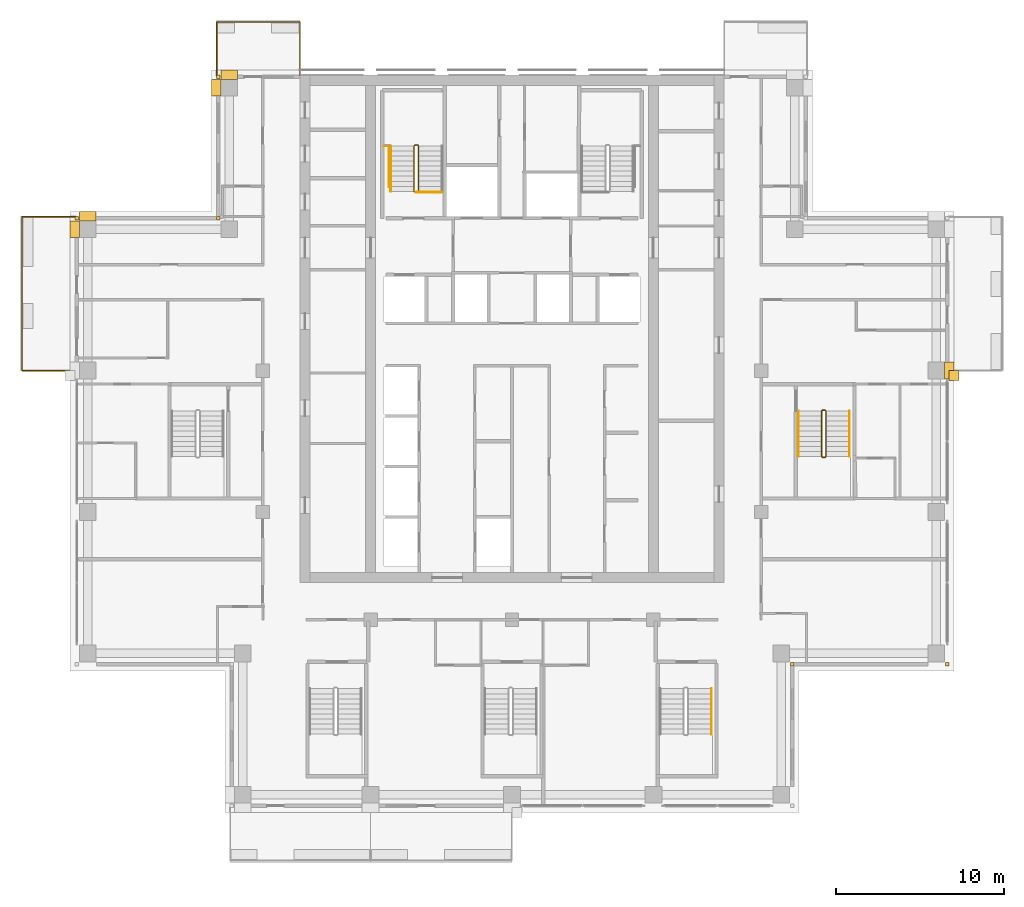
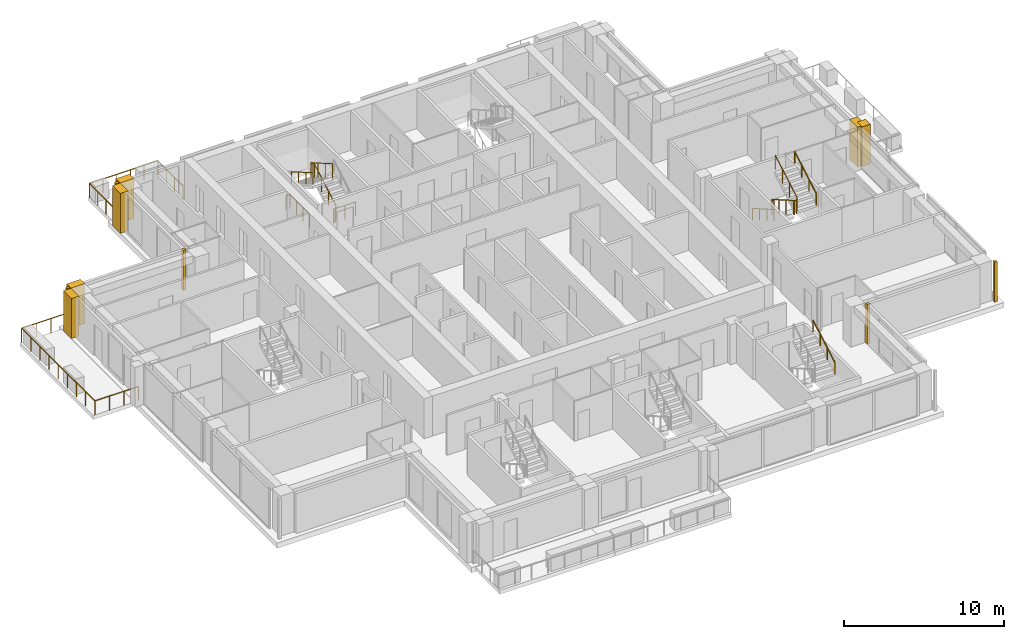
# One storey, part 14 of 15: 11 coverings, 10 railings.
"""IFC4 building model written with IfcOpenShell, lengths in metres."""

from ifc_helpers import new_model, si_unit, direction, frame, origin, origin_2d, place, context, subcontext, project, spatial, polyline, rectangle, outline, extrude, material, type_object, element, save


model = new_model("IFC4")

# Units and contexts
model_context = context("Model", 3, precision=1e-05, world=origin(), true_north=direction((0.0, 1.0)))
body_context = subcontext(model_context, "Body", "Model", "MODEL_VIEW")
ifc_project = project(units=[si_unit("LENGTHUNIT", "METRE"), si_unit("AREAUNIT", "SQUARE_METRE"), si_unit("VOLUMEUNIT", "CUBIC_METRE"), si_unit("PLANEANGLEUNIT", "RADIAN"), si_unit("MASSUNIT", "GRAM", prefix="KILO")], contexts=[model_context])

# Site, building, storey
site_placement = place(None, origin())
site = spatial("IfcSite", under=ifc_project, at=site_placement, CompositionType="ELEMENT")
building_placement = place(site_placement, origin())
building = spatial("IfcBuilding", under=site, at=building_placement, Name="Vermilion Ogive Tower", CompositionType="ELEMENT")
storey_placement = place(building_placement, frame((0.0, 0.0, 210.050048828125)))
storey = spatial("IfcBuildingStorey", under=building, at=storey_placement, Name="L55", CompositionType="ELEMENT", Elevation=210.050048828125)

# Railings
ifc_material_1 = material(Name="Stainless steel and glass", Category="steel")
railing_type_1 = type_object("IfcRailingType", Name="Balcony guard", PredefinedType="GUARDRAIL", material=ifc_material_1)
railing_1_placement = place(storey_placement, frame((-12.60009765625, 21.75, -0.0400390625)))
element("IfcRailing", 1, at=railing_1_placement, inside=storey, type_object=railing_type_1, Name="Guard N201", PredefinedType="GUARDRAIL", context=body_context, shape_type="SweptSolid", body=[
    extrude(rectangle(XDim=0.048095703125, YDim=0.048095703125, at=origin_2d()), frame((0.0, 0.0, 1.076171875), z_axis=(0.0, 1.0, 0.0), x_axis=(-1.0, 0.0, 0.0)), (0.0, 0.0, 1.0), 3.159912109375),
    extrude(rectangle(XDim=0.048095703125, YDim=0.048095703125, at=origin_2d()), frame((0.0, 3.159912109375, 1.076171875), z_axis=(-1.0, 0.0, 0.0), x_axis=(0.0, -1.0, 0.0)), (0.0, 0.0, 1.0), 4.949951171875),
    extrude(rectangle(XDim=0.048095703125, YDim=0.048095703125, at=origin_2d()), frame((-4.949951171875, 3.159912109375, 1.076171875), z_axis=(0.0, -1.0, 0.0), x_axis=(1.0, 0.0, 0.0)), (0.0, 0.0, 1.0), 3.159912109375),
    extrude(rectangle(XDim=0.0419921875, YDim=0.0419921875, at=origin_2d()), origin(), (0.0, 0.0, 1.0), 1.052001953125),
    extrude(rectangle(XDim=0.0419921875, YDim=0.0419921875, at=origin_2d()), frame((0.0, 1.05322265625, 0.0)), (0.0, 0.0, 1.0), 1.052001953125),
    extrude(rectangle(XDim=0.0419921875, YDim=0.0419921875, at=origin_2d()), frame((0.0, 2.106689453125, 0.0)), (0.0, 0.0, 1.0), 1.052001953125),
    extrude(rectangle(XDim=0.0419921875, YDim=0.0419921875, at=origin_2d()), frame((0.0, 3.159912109375, 0.0)), (0.0, 0.0, 1.0), 1.052001953125),
    extrude(rectangle(XDim=0.0419921875, YDim=0.0419921875, at=origin_2d()), frame((-0.989990234375, 3.159912109375, 0.0)), (0.0, 0.0, 1.0), 1.052001953125),
    extrude(rectangle(XDim=0.0419921875, YDim=0.0419921875, at=origin_2d()), frame((-1.97998046875, 3.159912109375, 0.0)), (0.0, 0.0, 1.0), 1.052001953125),
    extrude(rectangle(XDim=0.0419921875, YDim=0.0419921875, at=origin_2d()), frame((-2.969970703125, 3.159912109375, 0.0)), (0.0, 0.0, 1.0), 1.052001953125),
    extrude(rectangle(XDim=0.0419921875, YDim=0.0419921875, at=origin_2d()), frame((-3.9599609375, 3.159912109375, 0.0)), (0.0, 0.0, 1.0), 1.052001953125),
    extrude(rectangle(XDim=0.0419921875, YDim=0.0419921875, at=origin_2d()), frame((-4.949951171875, 3.159912109375, 0.0)), (0.0, 0.0, 1.0), 1.052001953125),
    extrude(rectangle(XDim=0.0419921875, YDim=0.0419921875, at=origin_2d()), frame((-4.949951171875, 2.106689453125, 0.0)), (0.0, 0.0, 1.0), 1.052001953125),
    extrude(rectangle(XDim=0.0419921875, YDim=0.0419921875, at=origin_2d()), frame((-4.949951171875, 1.05322265625, 0.0)), (0.0, 0.0, 1.0), 1.052001953125),
    extrude(rectangle(XDim=0.0419921875, YDim=0.0419921875, at=origin_2d()), frame((-4.949951171875, 0.0, 0.0)), (0.0, 0.0, 1.0), 1.052001953125),
])
railing_2_placement = place(storey_placement, frame((-25.949951171875, 13.35009765625, -0.0400390625)))
element("IfcRailing", 2, at=railing_2_placement, inside=storey, type_object=railing_type_1, Name="Guard W01", PredefinedType="GUARDRAIL", context=body_context, shape_type="SweptSolid", body=[
    extrude(rectangle(XDim=0.048095703125, YDim=0.048095703125, at=origin_2d()), frame((0.0, 0.0, 1.076171875), z_axis=(-1.0, 0.0, 0.0), x_axis=(0.0, -1.0, 0.0)), (0.0, 0.0, 1.0), 3.16015625),
    extrude(rectangle(XDim=0.048095703125, YDim=0.048095703125, at=origin_2d()), frame((-3.16015625, 0.0, 1.076171875), z_axis=(0.0, -1.0, 0.0), x_axis=(1.0, 0.0, 0.0)), (0.0, 0.0, 1.0), 9.150146484375),
    extrude(rectangle(XDim=0.048095703125, YDim=0.048095703125, at=origin_2d()), frame((-3.16015625, -9.150146484375, 1.076171875), z_axis=(1.0, 0.0, 0.0), x_axis=(0.0, 1.0, 0.0)), (0.0, 0.0, 1.0), 3.16015625),
    extrude(rectangle(XDim=0.0419921875, YDim=0.0419921875, at=origin_2d()), origin(), (0.0, 0.0, 1.0), 1.052001953125),
    extrude(rectangle(XDim=0.0419921875, YDim=0.0419921875, at=origin_2d()), frame((-1.053466796875, 0.0, 0.0)), (0.0, 0.0, 1.0), 1.052001953125),
    extrude(rectangle(XDim=0.0419921875, YDim=0.0419921875, at=origin_2d()), frame((-2.106689453125, 0.0, 0.0)), (0.0, 0.0, 1.0), 1.052001953125),
    extrude(rectangle(XDim=0.0419921875, YDim=0.0419921875, at=origin_2d()), frame((-3.16015625, 0.0, 0.0)), (0.0, 0.0, 1.0), 1.052001953125),
    extrude(rectangle(XDim=0.0419921875, YDim=0.0419921875, at=origin_2d()), frame((-3.16015625, -1.143798828125, 0.0)), (0.0, 0.0, 1.0), 1.052001953125),
    extrude(rectangle(XDim=0.0419921875, YDim=0.0419921875, at=origin_2d()), frame((-3.16015625, -2.28759765625, 0.0)), (0.0, 0.0, 1.0), 1.052001953125),
    extrude(rectangle(XDim=0.0419921875, YDim=0.0419921875, at=origin_2d()), frame((-3.16015625, -3.431396484375, 0.0)), (0.0, 0.0, 1.0), 1.052001953125),
    extrude(rectangle(XDim=0.0419921875, YDim=0.0419921875, at=origin_2d()), frame((-3.16015625, -4.5751953125, 0.0)), (0.0, 0.0, 1.0), 1.052001953125),
    extrude(rectangle(XDim=0.0419921875, YDim=0.0419921875, at=origin_2d()), frame((-3.16015625, -5.71875, 0.0)), (0.0, 0.0, 1.0), 1.052001953125),
    extrude(rectangle(XDim=0.0419921875, YDim=0.0419921875, at=origin_2d()), frame((-3.16015625, -6.862548828125, 0.0)), (0.0, 0.0, 1.0), 1.052001953125),
    extrude(rectangle(XDim=0.0419921875, YDim=0.0419921875, at=origin_2d()), frame((-3.16015625, -8.00634765625, 0.0)), (0.0, 0.0, 1.0), 1.052001953125),
    extrude(rectangle(XDim=0.0419921875, YDim=0.0419921875, at=origin_2d()), frame((-3.16015625, -9.150146484375, 0.0)), (0.0, 0.0, 1.0), 1.052001953125),
    extrude(rectangle(XDim=0.0419921875, YDim=0.0419921875, at=origin_2d()), frame((-2.106689453125, -9.150146484375, 0.0)), (0.0, 0.0, 1.0), 1.052001953125),
    extrude(rectangle(XDim=0.0419921875, YDim=0.0419921875, at=origin_2d()), frame((-1.053466796875, -9.150146484375, 0.0)), (0.0, 0.0, 1.0), 1.052001953125),
    extrude(rectangle(XDim=0.0419921875, YDim=0.0419921875, at=origin_2d()), frame((0.0, -9.150146484375, 0.0)), (0.0, 0.0, 1.0), 1.052001953125),
])
ifc_material_2 = material(Name="Steel S355 painted", Category="steel")
railing_type_2 = type_object("IfcRailingType", Name="Stair guard 1100", PredefinedType="GUARDRAIL", material=ifc_material_2)
railing_3_placement = place(storey_placement, frame((-5.75, 14.800048828125, 0.0)))
element("IfcRailing", 3, at=railing_3_placement, inside=storey, type_object=railing_type_2, Name="L55 ST1 stair guard 4", PredefinedType="GUARDRAIL", context=body_context, shape_type="SweptSolid", body=[
    extrude(rectangle(XDim=0.048095703125, YDim=0.048095703125, at=origin_2d()), frame((0.0, 0.0, 1.076171875), z_axis=(1.0, 0.0, 0.0), x_axis=(0.0, 1.0, 0.0)), (0.0, 0.0, 1.0), 0.14990234375),
    extrude(rectangle(XDim=0.048095703125, YDim=0.048095703125, at=origin_2d()), frame((0.14990234375, 0.0, 1.076171875), z_axis=(0.268603158521, 0.268603158521, 0.925043072762), x_axis=(-0.707106781187, 0.707106781187, 0.0)), (0.0, 0.0, 1.0), 0.186279296875),
    extrude(rectangle(XDim=0.048095703125, YDim=0.048095703125, at=origin_2d()), frame((0.199951171875, 0.050048828125, 1.24853515625), z_axis=(0.0, 0.866903762492, 0.498475542607), x_axis=(-1.0, 0.0, 0.0)), (0.0, 0.0, 1.0), 3.114501953125),
    extrude(rectangle(XDim=0.048095703125, YDim=0.048095703125, at=origin_2d()), frame((0.199951171875, 2.75, 2.80078125), z_axis=(-0.707106781187, 0.707106781187, 0.0), x_axis=(-0.707106781187, -0.707106781187, 0.0)), (0.0, 0.0, 1.0), 0.07080078125),
    extrude(rectangle(XDim=0.048095703125, YDim=0.048095703125, at=origin_2d()), frame((0.14990234375, 2.800048828125, 2.80078125), z_axis=(-1.0, 0.0, 0.0), x_axis=(0.0, -1.0, 0.0)), (0.0, 0.0, 1.0), 0.14990234375),
    extrude(rectangle(XDim=0.048095703125, YDim=0.048095703125, at=origin_2d()), frame((0.0, 2.800048828125, 2.80078125), z_axis=(-0.268277960024, -0.268277960024, 0.925231793839), x_axis=(0.707106781187, -0.707106781187, 0.0)), (0.0, 0.0, 1.0), 0.1865234375),
    extrude(rectangle(XDim=0.048095703125, YDim=0.048095703125, at=origin_2d()), frame((-0.050048828125, 2.75, 2.9736328125), z_axis=(0.0, -0.866903762492, 0.498475542607), x_axis=(1.0, 0.0, 0.0)), (0.0, 0.0, 1.0), 3.114501953125),
    extrude(rectangle(XDim=0.0419921875, YDim=0.0419921875, at=origin_2d()), origin(), (0.0, 0.0, 1.0), 1.052001953125),
    extrude(rectangle(XDim=0.0419921875, YDim=0.0419921875, at=origin_2d()), frame((0.14990234375, 0.0, 0.0)), (0.0, 0.0, 1.0), 1.052001953125),
    extrude(rectangle(XDim=0.0419921875, YDim=0.0419921875, at=origin_2d()), frame((0.199951171875, 0.050048828125, 0.17236328125)), (0.0, 0.0, 1.0), 1.052001953125),
    extrude(rectangle(XDim=0.0419921875, YDim=0.0419921875, at=origin_2d()), frame((0.199951171875, 0.949951171875, 0.68994140625)), (0.0, 0.0, 1.0), 1.052001953125),
    extrude(rectangle(XDim=0.0419921875, YDim=0.0419921875, at=origin_2d()), frame((0.199951171875, 1.85009765625, 1.207275390625)), (0.0, 0.0, 1.0), 1.052001953125),
    extrude(rectangle(XDim=0.0419921875, YDim=0.0419921875, at=origin_2d()), frame((0.199951171875, 2.75, 1.724853515625)), (0.0, 0.0, 1.0), 1.052001953125),
    extrude(rectangle(XDim=0.0419921875, YDim=0.0419921875, at=origin_2d()), frame((0.14990234375, 2.800048828125, 1.724853515625)), (0.0, 0.0, 1.0), 1.052001953125),
    extrude(rectangle(XDim=0.0419921875, YDim=0.0419921875, at=origin_2d()), frame((0.0, 2.800048828125, 1.724853515625)), (0.0, 0.0, 1.0), 1.052001953125),
    extrude(rectangle(XDim=0.0419921875, YDim=0.0419921875, at=origin_2d()), frame((-0.050048828125, 2.75, 1.8974609375)), (0.0, 0.0, 1.0), 1.052001953125),
    extrude(rectangle(XDim=0.0419921875, YDim=0.0419921875, at=origin_2d()), frame((-0.050048828125, 1.85009765625, 2.4150390625)), (0.0, 0.0, 1.0), 1.052001953125),
    extrude(rectangle(XDim=0.0419921875, YDim=0.0419921875, at=origin_2d()), frame((-0.050048828125, 0.949951171875, 2.932373046875)), (0.0, 0.0, 1.0), 1.052001953125),
    extrude(rectangle(XDim=0.0419921875, YDim=0.0419921875, at=origin_2d()), frame((-0.050048828125, 0.050048828125, 3.449951171875)), (0.0, 0.0, 1.0), 1.052001953125),
])
railing_4_placement = place(storey_placement, frame((18.60009765625, 1.85009765625, 0.0)))
element("IfcRailing", 4, at=railing_4_placement, inside=storey, type_object=railing_type_2, Name="L55 ST8 stair guard 4", PredefinedType="GUARDRAIL", context=body_context, shape_type="SweptSolid", body=[
    extrude(rectangle(XDim=0.048095703125, YDim=0.048095703125, at=origin_2d()), frame((0.0, 0.0, 1.076171875), z_axis=(-1.0, 0.0, 0.0), x_axis=(0.0, -1.0, 0.0)), (0.0, 0.0, 1.0), 0.150146484375),
    extrude(rectangle(XDim=0.048095703125, YDim=0.048095703125, at=origin_2d()), frame((-0.150146484375, 0.0, 1.076171875), z_axis=(-0.268603158521, -0.268603158521, 0.925043072762), x_axis=(0.707106781187, -0.707106781187, 0.0)), (0.0, 0.0, 1.0), 0.186279296875),
    extrude(rectangle(XDim=0.048095703125, YDim=0.048095703125, at=origin_2d()), frame((-0.2001953125, -0.050048828125, 1.24853515625), z_axis=(0.0, -0.866903762492, 0.498475542607), x_axis=(1.0, 0.0, 0.0)), (0.0, 0.0, 1.0), 3.114501953125),
    extrude(rectangle(XDim=0.048095703125, YDim=0.048095703125, at=origin_2d()), frame((-0.2001953125, -2.75, 2.80078125), z_axis=(0.707106781187, -0.707106781187, 0.0), x_axis=(0.707106781187, 0.707106781187, 0.0)), (0.0, 0.0, 1.0), 0.07080078125),
    extrude(rectangle(XDim=0.048095703125, YDim=0.048095703125, at=origin_2d()), frame((-0.150146484375, -2.800048828125, 2.80078125), z_axis=(1.0, 0.0, 0.0), x_axis=(0.0, 1.0, 0.0)), (0.0, 0.0, 1.0), 0.150146484375),
    extrude(rectangle(XDim=0.048095703125, YDim=0.048095703125, at=origin_2d()), frame((0.0, -2.800048828125, 2.80078125), z_axis=(0.267062837333, 0.268371968888, 0.925556009775), x_axis=(-0.708833529934, 0.705375805398, 0.0)), (0.0, 0.0, 1.0), 0.1865234375),
    extrude(rectangle(XDim=0.048095703125, YDim=0.048095703125, at=origin_2d()), frame((0.0498046875, -2.75, 2.9736328125), z_axis=(0.0, 0.866903762492, 0.498475542607), x_axis=(-1.0, 0.0, 0.0)), (0.0, 0.0, 1.0), 3.114501953125),
    extrude(rectangle(XDim=0.0419921875, YDim=0.0419921875, at=origin_2d()), origin(), (0.0, 0.0, 1.0), 1.052001953125),
    extrude(rectangle(XDim=0.0419921875, YDim=0.0419921875, at=origin_2d()), frame((-0.150146484375, 0.0, 0.0)), (0.0, 0.0, 1.0), 1.052001953125),
    extrude(rectangle(XDim=0.0419921875, YDim=0.0419921875, at=origin_2d()), frame((-0.2001953125, -0.050048828125, 0.17236328125)), (0.0, 0.0, 1.0), 1.052001953125),
    extrude(rectangle(XDim=0.0419921875, YDim=0.0419921875, at=origin_2d()), frame((-0.2001953125, -0.949951171875, 0.68994140625)), (0.0, 0.0, 1.0), 1.052001953125),
    extrude(rectangle(XDim=0.0419921875, YDim=0.0419921875, at=origin_2d()), frame((-0.2001953125, -1.85009765625, 1.207275390625)), (0.0, 0.0, 1.0), 1.052001953125),
    extrude(rectangle(XDim=0.0419921875, YDim=0.0419921875, at=origin_2d()), frame((-0.2001953125, -2.75, 1.724853515625)), (0.0, 0.0, 1.0), 1.052001953125),
    extrude(rectangle(XDim=0.0419921875, YDim=0.0419921875, at=origin_2d()), frame((-0.150146484375, -2.800048828125, 1.724853515625)), (0.0, 0.0, 1.0), 1.052001953125),
    extrude(rectangle(XDim=0.0419921875, YDim=0.0419921875, at=origin_2d()), frame((0.0, -2.800048828125, 1.724853515625)), (0.0, 0.0, 1.0), 1.052001953125),
    extrude(rectangle(XDim=0.0419921875, YDim=0.0419921875, at=origin_2d()), frame((0.0498046875, -2.75, 1.8974609375)), (0.0, 0.0, 1.0), 1.052001953125),
    extrude(rectangle(XDim=0.0419921875, YDim=0.0419921875, at=origin_2d()), frame((0.0498046875, -1.85009765625, 2.4150390625)), (0.0, 0.0, 1.0), 1.052001953125),
    extrude(rectangle(XDim=0.0419921875, YDim=0.0419921875, at=origin_2d()), frame((0.0498046875, -0.949951171875, 2.932373046875)), (0.0, 0.0, 1.0), 1.052001953125),
    extrude(rectangle(XDim=0.0419921875, YDim=0.0419921875, at=origin_2d()), frame((0.0498046875, -0.050048828125, 3.449951171875)), (0.0, 0.0, 1.0), 1.052001953125),
])
railing_5_placement = place(storey_placement, frame((-4.159912109375, 14.7900390625, 0.0)))
element("IfcRailing", 5, at=railing_5_placement, inside=storey, type_object=railing_type_2, Name="L55 stair opening guard", PredefinedType="GUARDRAIL", context=body_context, shape_type="SweptSolid", body=[
    extrude(rectangle(XDim=0.048095703125, YDim=0.048095703125, at=origin_2d()), frame((0.0, 0.0, 1.076171875), z_axis=(-1.0, 0.0, 0.0), x_axis=(0.0, -1.0, 0.0)), (0.0, 0.0, 1.0), 1.5400390625),
    extrude(rectangle(XDim=0.0419921875, YDim=0.0419921875, at=origin_2d()), origin(), (0.0, 0.0, 1.0), 1.052001953125),
    extrude(rectangle(XDim=0.0419921875, YDim=0.0419921875, at=origin_2d()), frame((-0.77001953125, 0.0, 0.0)), (0.0, 0.0, 1.0), 1.052001953125),
    extrude(rectangle(XDim=0.0419921875, YDim=0.0419921875, at=origin_2d()), frame((-1.5400390625, 0.0, 0.0)), (0.0, 0.0, 1.0), 1.052001953125),
])
railing_6_placement = place(storey_placement, frame((-7.3095703125, 15.11865234375, 0.0)))
element("IfcRailing", 6, at=railing_6_placement, inside=storey, type_object=railing_type_2, Name="L55 stair opening guard", PredefinedType="GUARDRAIL", context=body_context, shape_type="SweptSolid", body=[
    extrude(rectangle(XDim=0.048095703125, YDim=0.048095703125, at=origin_2d()), frame((0.0, 0.0, 1.076171875), z_axis=(0.0, 1.0, 0.0), x_axis=(-1.0, 0.0, 0.0)), (0.0, 0.0, 1.0), 2.42431640625),
    extrude(rectangle(XDim=0.048095703125, YDim=0.048095703125, at=origin_2d()), frame((0.0, 2.42431640625, 1.076171875), z_axis=(-1.0, 0.0, 0.0), x_axis=(0.0, -1.0, 0.0)), (0.0, 0.0, 1.0), 0.2900390625),
    extrude(rectangle(XDim=0.0419921875, YDim=0.0419921875, at=origin_2d()), origin(), (0.0, 0.0, 1.0), 1.052001953125),
    extrude(rectangle(XDim=0.0419921875, YDim=0.0419921875, at=origin_2d()), frame((0.0, 0.80810546875, 0.0)), (0.0, 0.0, 1.0), 1.052001953125),
    extrude(rectangle(XDim=0.0419921875, YDim=0.0419921875, at=origin_2d()), frame((0.0, 1.6162109375, 0.0)), (0.0, 0.0, 1.0), 1.052001953125),
    extrude(rectangle(XDim=0.0419921875, YDim=0.0419921875, at=origin_2d()), frame((0.0, 2.42431640625, 0.0)), (0.0, 0.0, 1.0), 1.052001953125),
    extrude(rectangle(XDim=0.0419921875, YDim=0.0419921875, at=origin_2d()), frame((-0.2900390625, 2.42431640625, 0.0)), (0.0, 0.0, 1.0), 1.052001953125),
])
ifc_material_3 = material(Name="Stainless steel", Category="steel")
railing_type_3 = type_object("IfcRailingType", Name="Stair handrail 900", PredefinedType="HANDRAIL", material=ifc_material_3)
railing_7_placement = place(storey_placement, frame((-7.199951171875, 17.550048828125, 1.8974609375)))
element("IfcRailing", 7, at=railing_7_placement, inside=storey, type_object=railing_type_3, Name="L55 ST1 stair handrail 2", PredefinedType="HANDRAIL", context=body_context, shape_type="SweptSolid", body=[
    extrude(rectangle(XDim=0.048095703125, YDim=0.048095703125, at=origin_2d()), frame((0.0, 0.0, 0.8759765625), z_axis=(0.0, -0.866903762492, 0.498475542607), x_axis=(1.0, 0.0, 0.0)), (0.0, 0.0, 1.0), 3.114501953125),
    extrude(rectangle(XDim=0.0419921875, YDim=0.0419921875, at=origin_2d()), origin(), (0.0, 0.0, 1.0), 0.851806640625),
    extrude(rectangle(XDim=0.0419921875, YDim=0.0419921875, at=origin_2d()), frame((0.0, -0.89990234375, 0.517578125)), (0.0, 0.0, 1.0), 0.851806640625),
    extrude(rectangle(XDim=0.0419921875, YDim=0.0419921875, at=origin_2d()), frame((0.0, -1.800048828125, 1.034912109375)), (0.0, 0.0, 1.0), 0.851806640625),
    extrude(rectangle(XDim=0.0419921875, YDim=0.0419921875, at=origin_2d()), frame((0.0, -2.699951171875, 1.552490234375)), (0.0, 0.0, 1.0), 0.851806640625),
])
railing_8_placement = place(storey_placement, frame((11.85009765625, -17.39990234375, 1.8974609375)))
element("IfcRailing", 8, at=railing_8_placement, inside=storey, type_object=railing_type_3, Name="L55 ST5 stair handrail 2", PredefinedType="HANDRAIL", context=body_context, shape_type="SweptSolid", body=[
    extrude(rectangle(XDim=0.048095703125, YDim=0.048095703125, at=origin_2d()), frame((0.0, 0.0, 0.8759765625), z_axis=(0.0, 0.866903762492, 0.498475542607), x_axis=(-1.0, 0.0, 0.0)), (0.0, 0.0, 1.0), 3.114501953125),
    extrude(rectangle(XDim=0.0419921875, YDim=0.0419921875, at=origin_2d()), origin(), (0.0, 0.0, 1.0), 0.851806640625),
    extrude(rectangle(XDim=0.0419921875, YDim=0.0419921875, at=origin_2d()), frame((0.0, 0.89990234375, 0.517578125)), (0.0, 0.0, 1.0), 0.851806640625),
    extrude(rectangle(XDim=0.0419921875, YDim=0.0419921875, at=origin_2d()), frame((0.0, 1.800048828125, 1.034912109375)), (0.0, 0.0, 1.0), 0.851806640625),
    extrude(rectangle(XDim=0.0419921875, YDim=0.0419921875, at=origin_2d()), frame((0.0, 2.699951171875, 1.552490234375)), (0.0, 0.0, 1.0), 0.851806640625),
])
railing_9_placement = place(storey_placement, frame((17.0, 1.800048828125, 0.17236328125)))
element("IfcRailing", 9, at=railing_9_placement, inside=storey, type_object=railing_type_3, Name="L55 ST8 stair handrail 1", PredefinedType="HANDRAIL", context=body_context, shape_type="SweptSolid", body=[
    extrude(rectangle(XDim=0.048095703125, YDim=0.048095703125, at=origin_2d()), frame((0.0, 0.0, 0.8759765625), z_axis=(0.0, -0.866903762492, 0.498475542607), x_axis=(1.0, 0.0, 0.0)), (0.0, 0.0, 1.0), 3.114501953125),
    extrude(rectangle(XDim=0.0419921875, YDim=0.0419921875, at=origin_2d()), origin(), (0.0, 0.0, 1.0), 0.851806640625),
    extrude(rectangle(XDim=0.0419921875, YDim=0.0419921875, at=origin_2d()), frame((0.0, -0.89990234375, 0.517578125)), (0.0, 0.0, 1.0), 0.851806640625),
    extrude(rectangle(XDim=0.0419921875, YDim=0.0419921875, at=origin_2d()), frame((0.0, -1.800048828125, 1.034912109375)), (0.0, 0.0, 1.0), 0.851806640625),
    extrude(rectangle(XDim=0.0419921875, YDim=0.0419921875, at=origin_2d()), frame((0.0, -2.699951171875, 1.552490234375)), (0.0, 0.0, 1.0), 0.851806640625),
])
railing_10_placement = place(storey_placement, frame((20.050048828125, -0.89990234375, 1.8974609375)))
element("IfcRailing", 10, at=railing_10_placement, inside=storey, type_object=railing_type_3, Name="L55 ST8 stair handrail 2", PredefinedType="HANDRAIL", context=body_context, shape_type="SweptSolid", body=[
    extrude(rectangle(XDim=0.048095703125, YDim=0.048095703125, at=origin_2d()), frame((0.0, 0.0, 0.8759765625), z_axis=(0.0, 0.866903762492, 0.498475542607), x_axis=(-1.0, 0.0, 0.0)), (0.0, 0.0, 1.0), 3.114501953125),
    extrude(rectangle(XDim=0.0419921875, YDim=0.0419921875, at=origin_2d()), origin(), (0.0, 0.0, 1.0), 0.851806640625),
    extrude(rectangle(XDim=0.0419921875, YDim=0.0419921875, at=origin_2d()), frame((0.0, 0.89990234375, 0.517578125)), (0.0, 0.0, 1.0), 0.851806640625),
    extrude(rectangle(XDim=0.0419921875, YDim=0.0419921875, at=origin_2d()), frame((0.0, 1.800048828125, 1.034912109375)), (0.0, 0.0, 1.0), 0.851806640625),
    extrude(rectangle(XDim=0.0419921875, YDim=0.0419921875, at=origin_2d()), frame((0.0, 2.699951171875, 1.552490234375)), (0.0, 0.0, 1.0), 0.851806640625),
])

# Coverings
ifc_material_4 = material(Name="Stone cladding", Category="masonry")
covering_type_1 = type_object("IfcCoveringType", Name="Stone corner buttress", PredefinedType="CLADDING", material=ifc_material_4)
covering_1_placement = place(storey_placement, origin())
element("IfcCovering", 11, at=covering_1_placement, inside=storey, type_object=covering_type_1, Name="Stone crease pier EK", PredefinedType="CLADDING", context=body_context, shape_type="SweptSolid", body=[
    extrude(outline(polyline([(26.550048828125, 3.60009765625), (26.550048828125, 4.199951171875), (25.949951171875, 4.199951171875), (25.949951171875, 3.60009765625), (26.550048828125, 3.60009765625)])), origin(), (0.0, 0.0, 1.0), 3.050048828125),
])
ifc_material_5 = material(Name="Stone cladding", Category="masonry")
covering_type_2 = type_object("IfcCoveringType", Name="Stone pier", PredefinedType="CLADDING", material=ifc_material_5)
covering_2_placement = place(storey_placement, origin())
element("IfcCovering", 12, at=covering_2_placement, inside=storey, type_object=covering_type_2, Name="Stone corner pier X1E1", PredefinedType="CLADDING", context=body_context, shape_type="SweptSolid", body=[
    extrude(outline(polyline([(16.550048828125, -13.14990234375), (16.75, -13.14990234375), (16.75, -13.35009765625), (16.550048828125, -13.35009765625), (16.550048828125, -13.14990234375)])), origin(), (0.0, 0.0, 1.0), 3.050048828125),
])
covering_3_placement = place(storey_placement, origin())
element("IfcCovering", 13, at=covering_3_placement, inside=storey, type_object=covering_type_2, Name="Stone corner pier X2E1", PredefinedType="CLADDING", context=body_context, shape_type="SweptSolid", body=[
    extrude(outline(polyline([(25.75, -13.14990234375), (25.949951171875, -13.14990234375), (25.949951171875, -13.35009765625), (25.75, -13.35009765625), (25.75, -13.14990234375)])), origin(), (0.0, 0.0, 1.0), 3.050048828125),
])
covering_4_placement = place(storey_placement, origin())
element("IfcCovering", 14, at=covering_4_placement, inside=storey, type_object=covering_type_2, Name="Stone corner pier N2E1", PredefinedType="CLADDING", context=body_context, shape_type="SweptSolid", body=[
    extrude(outline(polyline([(-17.35009765625, 21.550048828125), (-17.550048828125, 21.550048828125), (-17.550048828125, 21.75), (-17.35009765625, 21.75), (-17.35009765625, 21.550048828125)])), origin(), (0.0, 0.0, 1.0), 3.050048828125),
])
covering_5_placement = place(storey_placement, origin())
element("IfcCovering", 15, at=covering_5_placement, inside=storey, type_object=covering_type_2, Name="Stone corner pier X5E1", PredefinedType="CLADDING", context=body_context, shape_type="SweptSolid", body=[
    extrude(outline(polyline([(-17.35009765625, 13.14990234375), (-17.550048828125, 13.14990234375), (-17.550048828125, 13.35009765625), (-17.35009765625, 13.35009765625), (-17.35009765625, 13.14990234375)])), origin(), (0.0, 0.0, 1.0), 3.050048828125),
])
covering_6_placement = place(storey_placement, origin())
element("IfcCovering", 16, at=covering_6_placement, inside=storey, type_object=covering_type_2, Name="Stone corner pier X6E1", PredefinedType="CLADDING", context=body_context, shape_type="SweptSolid", body=[
    extrude(outline(polyline([(-25.75, 13.14990234375), (-25.949951171875, 13.14990234375), (-25.949951171875, 13.35009765625), (-25.75, 13.35009765625), (-25.75, 13.14990234375)])), origin(), (0.0, 0.0, 1.0), 3.050048828125),
])
covering_7_placement = place(storey_placement, origin())
element("IfcCovering", 17, at=covering_7_placement, inside=storey, type_object=covering_type_2, Name="Stone pier P+0252+042", PredefinedType="CLADDING", context=body_context, shape_type="SweptSolid", body=[
    extrude(outline(polyline([(25.699951171875, 4.699951171875), (26.25, 4.699951171875), (26.25, 4.199951171875), (25.949951171875, 4.199951171875), (25.949951171875, 3.699951171875), (25.699951171875, 3.699951171875), (25.699951171875, 4.699951171875), (25.699951171875, 4.699951171875)])), origin(), (0.0, 0.0, 1.0), 3.050048828125),
])
covering_8_placement = place(storey_placement, origin())
element("IfcCovering", 18, at=covering_8_placement, inside=storey, type_object=covering_type_2, Name="Stone pier P-0168+210N2", PredefinedType="CLADDING", context=body_context, shape_type="SweptSolid", body=[
    extrude(outline(polyline([(-17.300048828125, 21.5), (-17.300048828125, 22.050048828125), (-16.300048828125, 22.050048828125), (-16.300048828125, 21.5), (-17.300048828125, 21.5), (-17.300048828125, 21.5)])), origin(), (0.0, 0.0, 1.0), 3.050048828125),
])
covering_9_placement = place(storey_placement, origin())
element("IfcCovering", 19, at=covering_9_placement, inside=storey, type_object=covering_type_2, Name="Stone pier P-0168+210X5", PredefinedType="CLADDING", context=body_context, shape_type="SweptSolid", body=[
    extrude(outline(polyline([(-17.85009765625, 21.5), (-17.300048828125, 21.5), (-17.300048828125, 21.5), (-17.300048828125, 20.5), (-17.85009765625, 20.5), (-17.85009765625, 21.5)])), origin(), (0.0, 0.0, 1.0), 3.050048828125),
])
covering_10_placement = place(storey_placement, origin())
element("IfcCovering", 20, at=covering_10_placement, inside=storey, type_object=covering_type_2, Name="Stone pier P-0252+126X6", PredefinedType="CLADDING", context=body_context, shape_type="SweptSolid", body=[
    extrude(outline(polyline([(-25.699951171875, 13.10009765625), (-25.699951171875, 13.64990234375), (-24.699951171875, 13.64990234375), (-24.699951171875, 13.10009765625), (-24.699951171875, 13.10009765625), (-25.699951171875, 13.10009765625)])), origin(), (0.0, 0.0, 1.0), 3.050048828125),
])
covering_11_placement = place(storey_placement, origin())
element("IfcCovering", 21, at=covering_11_placement, inside=storey, type_object=covering_type_2, Name="Stone pier P-0252+126W", PredefinedType="CLADDING", context=body_context, shape_type="SweptSolid", body=[
    extrude(outline(polyline([(-26.25, 13.10009765625), (-25.699951171875, 13.10009765625), (-25.699951171875, 12.10009765625), (-26.25, 12.10009765625), (-26.25, 13.10009765625)])), origin(), (0.0, 0.0, 1.0), 3.050048828125),
])

save(model, "model.ifc")
